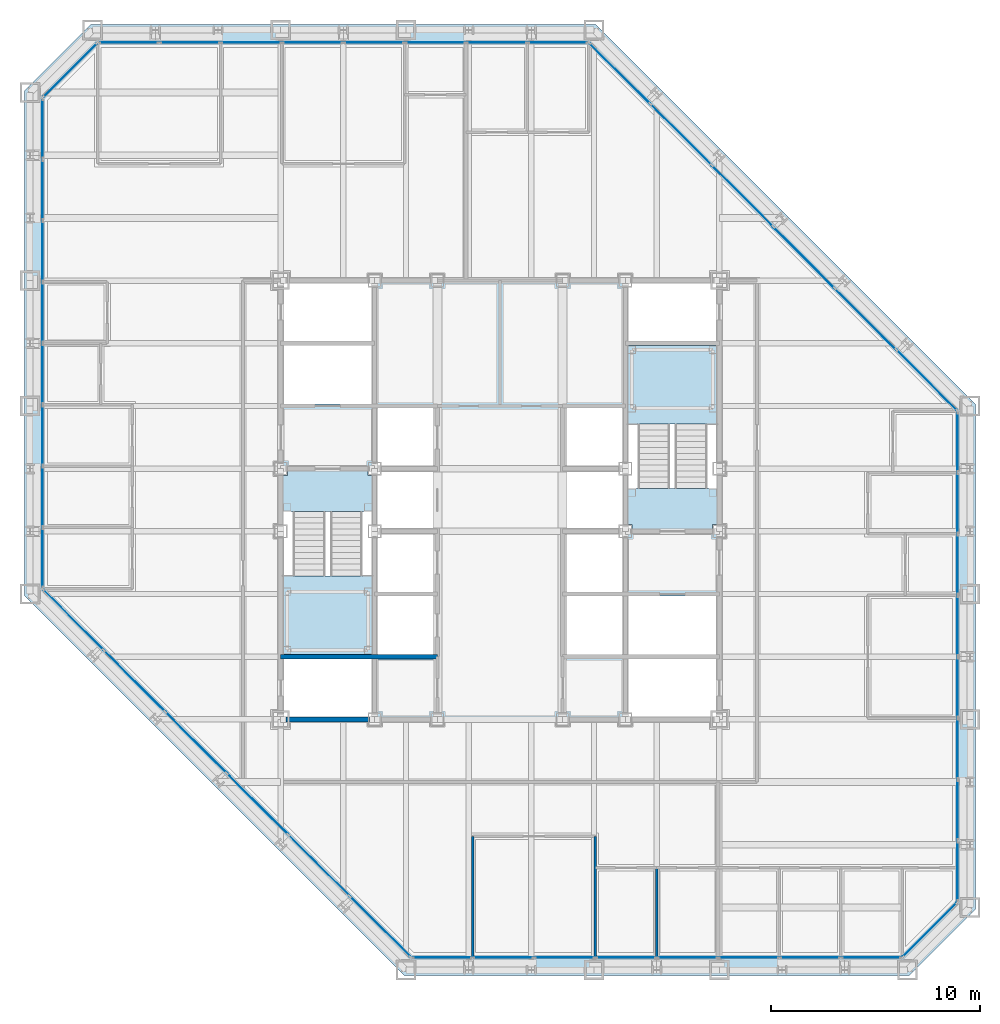
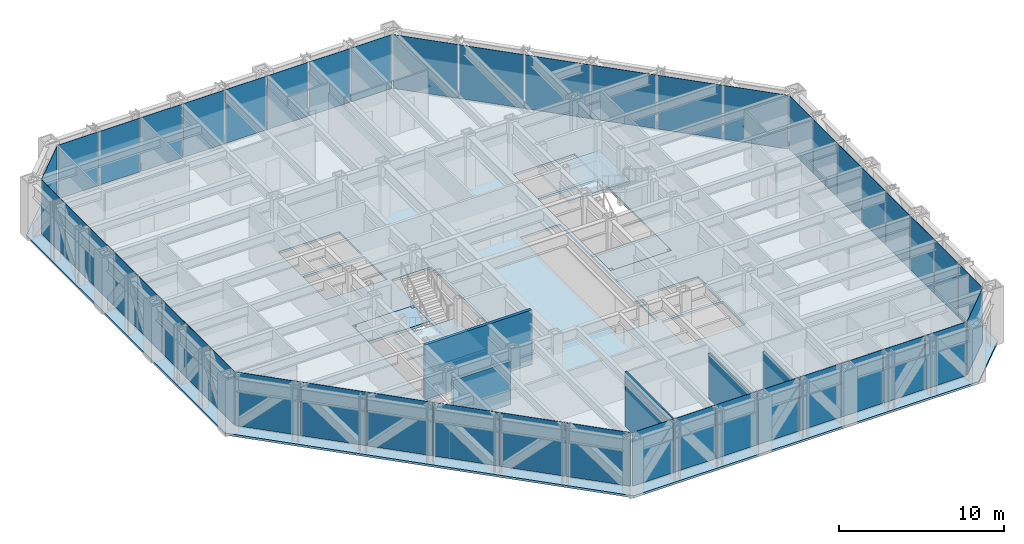
# One storey, part 9 of 16: 46 plates, 5 slabs, 5 walls, 10 elements without a shape of their own.
"""IFC4 building model written with IfcOpenShell, lengths in metres."""

from ifc_helpers import new_model, si_unit, direction, frame, frame_2d, origin, origin_2d, place, context, subcontext, project, spatial, polyline, rectangle, outline, extrude, material, layer, layer_set, type_object, element, aggregate, save


model = new_model("IFC4")

# Units and contexts
model_context = context("Model", 3, precision=1e-05, world=origin(), true_north=direction((0.0, 1.0)))
body_context = subcontext(model_context, "Body", "Model", "MODEL_VIEW")
ifc_project = project(units=[si_unit("LENGTHUNIT", "METRE"), si_unit("AREAUNIT", "SQUARE_METRE"), si_unit("VOLUMEUNIT", "CUBIC_METRE"), si_unit("PLANEANGLEUNIT", "RADIAN"), si_unit("MASSUNIT", "GRAM", prefix="KILO")], contexts=[model_context])

# Site, building, storey
site_placement = place(None, origin())
site = spatial("IfcSite", under=ifc_project, at=site_placement, CompositionType="ELEMENT")
building_placement = place(site_placement, origin())
building = spatial("IfcBuilding", under=site, at=building_placement, Name="Chuquiago Exchange Tower", CompositionType="ELEMENT")
storey_placement = place(building_placement, frame((0.0, 0.0, 153.0)))
storey = spatial("IfcBuildingStorey", under=building, at=storey_placement, Name="L33", CompositionType="ELEMENT", Elevation=153.0)

# Curtain wall, plates
ifc_material_1 = material(Name="Aluminium curtain wall system", Category="aluminium")
ifc_layer_1 = layer(ifc_material_1, 0.22509765625)
ifc_layer_set_1 = layer_set([ifc_layer_1], Name="CW2 office curtain wall")
curtain_wall_type_1 = type_object("IfcCurtainWallType", Name="CW2 office curtain wall", PredefinedType="NOTDEFINED", material=ifc_layer_set_1)
curtain_wall_1_placement = place(storey_placement, origin())
curtain_wall_1 = element("IfcCurtainWall", 1, at=curtain_wall_1_placement, inside=storey, type_object=curtain_wall_type_1, Name="CW2 curtain wall L33", PredefinedType="NOTDEFINED")
ifc_material_2 = material(Name="Glass, insulating unit", Category="glass")
ifc_layer_2 = layer(ifc_material_2, 0.030029296875)
ifc_layer_set_2 = layer_set([ifc_layer_2], Name="CW2-P panel 30")
plate_type_1 = type_object("IfcPlateType", Name="CW2-P panel 30", PredefinedType="CURTAIN_PANEL", material=ifc_layer_set_2)
plate_1_placement = place(storey_placement, frame((25.59326171875, 0.60009765625, 0.06494140625), z_axis=(0.0, 0.0, 1.0), x_axis=(1.0, 0.0, 0.0)))
plate_1 = element("IfcPlate", 2, at=plate_1_placement, type_object=plate_type_1, Name="CW2 panel 3.1", PredefinedType="CURTAIN_PANEL", context=body_context, shape_type="SweptSolid", body=[
    extrude(rectangle(XDim=2.872802734375, YDim=0.030029296875, at=origin_2d()), origin(), (0.0, 0.0, 1.0), 3.97509765625),
])
plate_2_placement = place(storey_placement, frame((34.40673828125, 0.60009765625, 0.06494140625), z_axis=(0.0, 0.0, 1.0), x_axis=(1.0, 0.0, 0.0)))
plate_2 = element("IfcPlate", 3, at=plate_2_placement, type_object=plate_type_1, Name="CW2 panel 6.1", PredefinedType="CURTAIN_PANEL", context=body_context, shape_type="SweptSolid", body=[
    extrude(rectangle(XDim=2.872802734375, YDim=0.030029296875, at=origin_2d()), origin(), (0.0, 0.0, 1.0), 3.97509765625),
])

curtain_wall_2_placement = place(storey_placement, origin())
curtain_wall_2 = element("IfcCurtainWall", 4, at=curtain_wall_2_placement, inside=storey, type_object=curtain_wall_type_1, Name="CW2 curtain wall L33", PredefinedType="NOTDEFINED")
plate_3_placement = place(storey_placement, frame((44.39990234375, 10.59326171875, 0.06494140625), z_axis=(0.0, 0.0, 1.0), x_axis=(0.0, 1.0, 0.0)))
plate_3 = element("IfcPlate", 5, at=plate_3_placement, type_object=plate_type_1, Name="CW2 panel 3.1", PredefinedType="CURTAIN_PANEL", context=body_context, shape_type="SweptSolid", body=[
    extrude(rectangle(XDim=2.872802734375, YDim=0.030029296875, at=origin_2d()), origin(), (0.0, 0.0, 1.0), 3.97509765625),
])
plate_4_placement = place(storey_placement, frame((44.39990234375, 19.40673828125, 0.06494140625), z_axis=(0.0, 0.0, 1.0), x_axis=(0.0, 1.0, 0.0)))
plate_4 = element("IfcPlate", 6, at=plate_4_placement, type_object=plate_type_1, Name="CW2 panel 6.1", PredefinedType="CURTAIN_PANEL", context=body_context, shape_type="SweptSolid", body=[
    extrude(rectangle(XDim=2.872802734375, YDim=0.030029296875, at=origin_2d()), origin(), (0.0, 0.0, 1.0), 3.97509765625),
])

curtain_wall_3_placement = place(storey_placement, origin())
curtain_wall_3 = element("IfcCurtainWall", 7, at=curtain_wall_3_placement, inside=storey, type_object=curtain_wall_type_1, Name="CW2 curtain wall L33", PredefinedType="NOTDEFINED")
plate_5_placement = place(storey_placement, frame((19.40673828125, 44.39990234375, 0.06494140625), z_axis=(0.0, 0.0, 1.0), x_axis=(-1.0, 0.0, 0.0)))
plate_5 = element("IfcPlate", 8, at=plate_5_placement, type_object=plate_type_1, Name="CW2 panel 3.1", PredefinedType="CURTAIN_PANEL", context=body_context, shape_type="SweptSolid", body=[
    extrude(rectangle(XDim=2.872802734375, YDim=0.030029296875, at=origin_2d()), origin(), (0.0, 0.0, 1.0), 3.97509765625),
])
plate_6_placement = place(storey_placement, frame((10.59326171875, 44.39990234375, 0.06494140625), z_axis=(0.0, 0.0, 1.0), x_axis=(-1.0, 0.0, 0.0)))
plate_6 = element("IfcPlate", 9, at=plate_6_placement, type_object=plate_type_1, Name="CW2 panel 6.1", PredefinedType="CURTAIN_PANEL", context=body_context, shape_type="SweptSolid", body=[
    extrude(rectangle(XDim=2.872802734375, YDim=0.030029296875, at=origin_2d()), origin(), (0.0, 0.0, 1.0), 3.97509765625),
])

curtain_wall_4_placement = place(storey_placement, origin())
curtain_wall_4 = element("IfcCurtainWall", 10, at=curtain_wall_4_placement, inside=storey, type_object=curtain_wall_type_1, Name="CW2 curtain wall L33", PredefinedType="NOTDEFINED")
plate_7_placement = place(storey_placement, frame((0.60009765625, 34.40673828125, 0.06494140625), z_axis=(0.0, 0.0, 1.0), x_axis=(0.0, -1.0, 0.0)))
plate_7 = element("IfcPlate", 11, at=plate_7_placement, type_object=plate_type_1, Name="CW2 panel 3.1", PredefinedType="CURTAIN_PANEL", context=body_context, shape_type="SweptSolid", body=[
    extrude(rectangle(XDim=2.872802734375, YDim=0.030029296875, at=origin_2d()), origin(), (0.0, 0.0, 1.0), 3.97509765625),
])
plate_8_placement = place(storey_placement, frame((0.60009765625, 25.59326171875, 0.06494140625), z_axis=(0.0, 0.0, 1.0), x_axis=(0.0, -1.0, 0.0)))
plate_8 = element("IfcPlate", 12, at=plate_8_placement, type_object=plate_type_1, Name="CW2 panel 6.1", PredefinedType="CURTAIN_PANEL", context=body_context, shape_type="SweptSolid", body=[
    extrude(rectangle(XDim=2.872802734375, YDim=0.030029296875, at=origin_2d()), origin(), (0.0, 0.0, 1.0), 3.97509765625),
])

# Plate
ifc_material_3 = material(Name="Insulated spandrel panel, pale anodised aluminium", Category="aluminium")
ifc_layer_3 = layer(ifc_material_3, 0.030029296875)
ifc_layer_set_3 = layer_set([ifc_layer_3], Name="CW2-P spandrel panel 30")
plate_type_2 = type_object("IfcPlateType", Name="CW2-P spandrel panel 30", PredefinedType="CURTAIN_PANEL", material=ifc_layer_set_3)
plate_9_placement = place(storey_placement, frame((19.733642578125, 0.60009765625, 0.06494140625), z_axis=(0.0, 0.0, 1.0), x_axis=(1.0, 0.0, 0.0)))
plate_9 = element("IfcPlate", 13, at=plate_9_placement, type_object=plate_type_2, Name="CW2 panel 1.1", PredefinedType="CURTAIN_PANEL", context=body_context, shape_type="SweptSolid", body=[
    extrude(rectangle(XDim=2.84033203125, YDim=0.030029296875, at=origin_2d()), origin(), (0.0, 0.0, 1.0), 3.97509765625),
])

plate_10_placement = place(storey_placement, frame((22.6552734375, 0.60009765625, 0.06494140625), z_axis=(0.0, 0.0, 1.0), x_axis=(1.0, 0.0, 0.0)))
plate_10 = element("IfcPlate", 14, at=plate_10_placement, type_object=plate_type_2, Name="CW2 panel 2.1", PredefinedType="CURTAIN_PANEL", context=body_context, shape_type="SweptSolid", body=[
    extrude(rectangle(XDim=2.872802734375, YDim=0.030029296875, at=origin_2d()), origin(), (0.0, 0.0, 1.0), 3.97509765625),
])

plate_11_placement = place(storey_placement, frame((28.531005859375, 0.60009765625, 0.06494140625), z_axis=(0.0, 0.0, 1.0), x_axis=(1.0, 0.0, 0.0)))
plate_11 = element("IfcPlate", 15, at=plate_11_placement, type_object=plate_type_2, Name="CW2 panel 4.1", PredefinedType="CURTAIN_PANEL", context=body_context, shape_type="SweptSolid", body=[
    extrude(rectangle(XDim=2.872802734375, YDim=0.030029296875, at=origin_2d()), origin(), (0.0, 0.0, 1.0), 3.97509765625),
])

plate_12_placement = place(storey_placement, frame((31.468994140625, 0.60009765625, 0.06494140625), z_axis=(0.0, 0.0, 1.0), x_axis=(1.0, 0.0, 0.0)))
plate_12 = element("IfcPlate", 16, at=plate_12_placement, type_object=plate_type_2, Name="CW2 panel 5.1", PredefinedType="CURTAIN_PANEL", context=body_context, shape_type="SweptSolid", body=[
    extrude(rectangle(XDim=2.872802734375, YDim=0.030029296875, at=origin_2d()), origin(), (0.0, 0.0, 1.0), 3.97509765625),
])

plate_13_placement = place(storey_placement, frame((37.3447265625, 0.60009765625, 0.06494140625), z_axis=(0.0, 0.0, 1.0), x_axis=(1.0, 0.0, 0.0)))
plate_13 = element("IfcPlate", 17, at=plate_13_placement, type_object=plate_type_2, Name="CW2 panel 7.1", PredefinedType="CURTAIN_PANEL", context=body_context, shape_type="SweptSolid", body=[
    extrude(rectangle(XDim=2.872802734375, YDim=0.030029296875, at=origin_2d()), origin(), (0.0, 0.0, 1.0), 3.97509765625),
])

plate_14_placement = place(storey_placement, frame((40.266357421875, 0.60009765625, 0.06494140625), z_axis=(0.0, 0.0, 1.0), x_axis=(1.0, 0.0, 0.0)))
plate_14 = element("IfcPlate", 18, at=plate_14_placement, type_object=plate_type_2, Name="CW2 panel 8.1", PredefinedType="CURTAIN_PANEL", context=body_context, shape_type="SweptSolid", body=[
    extrude(rectangle(XDim=2.84033203125, YDim=0.030029296875, at=origin_2d()), origin(), (0.0, 0.0, 1.0), 3.97509765625),
])

aggregate(curtain_wall_1, [plate_9, plate_10, plate_1, plate_11, plate_12, plate_2, plate_13, plate_14])

plate_15_placement = place(storey_placement, frame((44.39990234375, 4.733642578125, 0.06494140625), z_axis=(0.0, 0.0, 1.0), x_axis=(0.0, 1.0, 0.0)))
plate_15 = element("IfcPlate", 19, at=plate_15_placement, type_object=plate_type_2, Name="CW2 panel 1.1", PredefinedType="CURTAIN_PANEL", context=body_context, shape_type="SweptSolid", body=[
    extrude(rectangle(XDim=2.84033203125, YDim=0.030029296875, at=origin_2d()), origin(), (0.0, 0.0, 1.0), 3.97509765625),
])

plate_16_placement = place(storey_placement, frame((44.39990234375, 7.6552734375, 0.06494140625), z_axis=(0.0, 0.0, 1.0), x_axis=(0.0, 1.0, 0.0)))
plate_16 = element("IfcPlate", 20, at=plate_16_placement, type_object=plate_type_2, Name="CW2 panel 2.1", PredefinedType="CURTAIN_PANEL", context=body_context, shape_type="SweptSolid", body=[
    extrude(rectangle(XDim=2.872802734375, YDim=0.030029296875, at=origin_2d()), origin(), (0.0, 0.0, 1.0), 3.97509765625),
])

plate_17_placement = place(storey_placement, frame((44.39990234375, 13.531005859375, 0.06494140625), z_axis=(0.0, 0.0, 1.0), x_axis=(0.0, 1.0, 0.0)))
plate_17 = element("IfcPlate", 21, at=plate_17_placement, type_object=plate_type_2, Name="CW2 panel 4.1", PredefinedType="CURTAIN_PANEL", context=body_context, shape_type="SweptSolid", body=[
    extrude(rectangle(XDim=2.872802734375, YDim=0.030029296875, at=origin_2d()), origin(), (0.0, 0.0, 1.0), 3.97509765625),
])

plate_18_placement = place(storey_placement, frame((44.39990234375, 16.468994140625, 0.06494140625), z_axis=(0.0, 0.0, 1.0), x_axis=(0.0, 1.0, 0.0)))
plate_18 = element("IfcPlate", 22, at=plate_18_placement, type_object=plate_type_2, Name="CW2 panel 5.1", PredefinedType="CURTAIN_PANEL", context=body_context, shape_type="SweptSolid", body=[
    extrude(rectangle(XDim=2.872802734375, YDim=0.030029296875, at=origin_2d()), origin(), (0.0, 0.0, 1.0), 3.97509765625),
])

plate_19_placement = place(storey_placement, frame((44.39990234375, 22.3447265625, 0.06494140625), z_axis=(0.0, 0.0, 1.0), x_axis=(0.0, 1.0, 0.0)))
plate_19 = element("IfcPlate", 23, at=plate_19_placement, type_object=plate_type_2, Name="CW2 panel 7.1", PredefinedType="CURTAIN_PANEL", context=body_context, shape_type="SweptSolid", body=[
    extrude(rectangle(XDim=2.872802734375, YDim=0.030029296875, at=origin_2d()), origin(), (0.0, 0.0, 1.0), 3.97509765625),
])

plate_20_placement = place(storey_placement, frame((44.39990234375, 25.266357421875, 0.06494140625), z_axis=(0.0, 0.0, 1.0), x_axis=(0.0, 1.0, 0.0)))
plate_20 = element("IfcPlate", 24, at=plate_20_placement, type_object=plate_type_2, Name="CW2 panel 8.1", PredefinedType="CURTAIN_PANEL", context=body_context, shape_type="SweptSolid", body=[
    extrude(rectangle(XDim=2.84033203125, YDim=0.030029296875, at=origin_2d()), origin(), (0.0, 0.0, 1.0), 3.97509765625),
])

aggregate(curtain_wall_2, [plate_15, plate_16, plate_3, plate_17, plate_18, plate_4, plate_19, plate_20])

plate_21_placement = place(storey_placement, frame((25.266357421875, 44.39990234375, 0.06494140625), z_axis=(0.0, 0.0, 1.0), x_axis=(-1.0, 0.0, 0.0)))
plate_21 = element("IfcPlate", 25, at=plate_21_placement, type_object=plate_type_2, Name="CW2 panel 1.1", PredefinedType="CURTAIN_PANEL", context=body_context, shape_type="SweptSolid", body=[
    extrude(rectangle(XDim=2.84033203125, YDim=0.030029296875, at=origin_2d()), origin(), (0.0, 0.0, 1.0), 3.97509765625),
])

plate_22_placement = place(storey_placement, frame((22.3447265625, 44.39990234375, 0.06494140625), z_axis=(0.0, 0.0, 1.0), x_axis=(-1.0, 0.0, 0.0)))
plate_22 = element("IfcPlate", 26, at=plate_22_placement, type_object=plate_type_2, Name="CW2 panel 2.1", PredefinedType="CURTAIN_PANEL", context=body_context, shape_type="SweptSolid", body=[
    extrude(rectangle(XDim=2.872802734375, YDim=0.030029296875, at=origin_2d()), origin(), (0.0, 0.0, 1.0), 3.97509765625),
])

plate_23_placement = place(storey_placement, frame((16.468994140625, 44.39990234375, 0.06494140625), z_axis=(0.0, 0.0, 1.0), x_axis=(-1.0, 0.0, 0.0)))
plate_23 = element("IfcPlate", 27, at=plate_23_placement, type_object=plate_type_2, Name="CW2 panel 4.1", PredefinedType="CURTAIN_PANEL", context=body_context, shape_type="SweptSolid", body=[
    extrude(rectangle(XDim=2.872802734375, YDim=0.030029296875, at=origin_2d()), origin(), (0.0, 0.0, 1.0), 3.97509765625),
])

plate_24_placement = place(storey_placement, frame((13.531005859375, 44.39990234375, 0.06494140625), z_axis=(0.0, 0.0, 1.0), x_axis=(-1.0, 0.0, 0.0)))
plate_24 = element("IfcPlate", 28, at=plate_24_placement, type_object=plate_type_2, Name="CW2 panel 5.1", PredefinedType="CURTAIN_PANEL", context=body_context, shape_type="SweptSolid", body=[
    extrude(rectangle(XDim=2.872802734375, YDim=0.030029296875, at=origin_2d()), origin(), (0.0, 0.0, 1.0), 3.97509765625),
])

plate_25_placement = place(storey_placement, frame((7.6552734375, 44.39990234375, 0.06494140625), z_axis=(0.0, 0.0, 1.0), x_axis=(-1.0, 0.0, 0.0)))
plate_25 = element("IfcPlate", 29, at=plate_25_placement, type_object=plate_type_2, Name="CW2 panel 7.1", PredefinedType="CURTAIN_PANEL", context=body_context, shape_type="SweptSolid", body=[
    extrude(rectangle(XDim=2.872802734375, YDim=0.030029296875, at=origin_2d()), origin(), (0.0, 0.0, 1.0), 3.97509765625),
])

plate_26_placement = place(storey_placement, frame((4.733642578125, 44.39990234375, 0.06494140625), z_axis=(0.0, 0.0, 1.0), x_axis=(-1.0, 0.0, 0.0)))
plate_26 = element("IfcPlate", 30, at=plate_26_placement, type_object=plate_type_2, Name="CW2 panel 8.1", PredefinedType="CURTAIN_PANEL", context=body_context, shape_type="SweptSolid", body=[
    extrude(rectangle(XDim=2.84033203125, YDim=0.030029296875, at=origin_2d()), origin(), (0.0, 0.0, 1.0), 3.97509765625),
])

aggregate(curtain_wall_3, [plate_21, plate_22, plate_5, plate_23, plate_24, plate_6, plate_25, plate_26])

plate_27_placement = place(storey_placement, frame((0.60009765625, 40.266357421875, 0.06494140625), z_axis=(0.0, 0.0, 1.0), x_axis=(0.0, -1.0, 0.0)))
plate_27 = element("IfcPlate", 31, at=plate_27_placement, type_object=plate_type_2, Name="CW2 panel 1.1", PredefinedType="CURTAIN_PANEL", context=body_context, shape_type="SweptSolid", body=[
    extrude(rectangle(XDim=2.84033203125, YDim=0.030029296875, at=origin_2d()), origin(), (0.0, 0.0, 1.0), 3.97509765625),
])

plate_28_placement = place(storey_placement, frame((0.60009765625, 37.3447265625, 0.06494140625), z_axis=(0.0, 0.0, 1.0), x_axis=(0.0, -1.0, 0.0)))
plate_28 = element("IfcPlate", 32, at=plate_28_placement, type_object=plate_type_2, Name="CW2 panel 2.1", PredefinedType="CURTAIN_PANEL", context=body_context, shape_type="SweptSolid", body=[
    extrude(rectangle(XDim=2.872802734375, YDim=0.030029296875, at=origin_2d()), origin(), (0.0, 0.0, 1.0), 3.97509765625),
])

plate_29_placement = place(storey_placement, frame((0.60009765625, 31.468994140625, 0.06494140625), z_axis=(0.0, 0.0, 1.0), x_axis=(0.0, -1.0, 0.0)))
plate_29 = element("IfcPlate", 33, at=plate_29_placement, type_object=plate_type_2, Name="CW2 panel 4.1", PredefinedType="CURTAIN_PANEL", context=body_context, shape_type="SweptSolid", body=[
    extrude(rectangle(XDim=2.872802734375, YDim=0.030029296875, at=origin_2d()), origin(), (0.0, 0.0, 1.0), 3.97509765625),
])

plate_30_placement = place(storey_placement, frame((0.60009765625, 28.531005859375, 0.06494140625), z_axis=(0.0, 0.0, 1.0), x_axis=(0.0, -1.0, 0.0)))
plate_30 = element("IfcPlate", 34, at=plate_30_placement, type_object=plate_type_2, Name="CW2 panel 5.1", PredefinedType="CURTAIN_PANEL", context=body_context, shape_type="SweptSolid", body=[
    extrude(rectangle(XDim=2.872802734375, YDim=0.030029296875, at=origin_2d()), origin(), (0.0, 0.0, 1.0), 3.97509765625),
])

plate_31_placement = place(storey_placement, frame((0.60009765625, 22.6552734375, 0.06494140625), z_axis=(0.0, 0.0, 1.0), x_axis=(0.0, -1.0, 0.0)))
plate_31 = element("IfcPlate", 35, at=plate_31_placement, type_object=plate_type_2, Name="CW2 panel 7.1", PredefinedType="CURTAIN_PANEL", context=body_context, shape_type="SweptSolid", body=[
    extrude(rectangle(XDim=2.872802734375, YDim=0.030029296875, at=origin_2d()), origin(), (0.0, 0.0, 1.0), 3.97509765625),
])

plate_32_placement = place(storey_placement, frame((0.60009765625, 19.733642578125, 0.06494140625), z_axis=(0.0, 0.0, 1.0), x_axis=(0.0, -1.0, 0.0)))
plate_32 = element("IfcPlate", 36, at=plate_32_placement, type_object=plate_type_2, Name="CW2 panel 8.1", PredefinedType="CURTAIN_PANEL", context=body_context, shape_type="SweptSolid", body=[
    extrude(rectangle(XDim=2.84033203125, YDim=0.030029296875, at=origin_2d()), origin(), (0.0, 0.0, 1.0), 3.97509765625),
])

aggregate(curtain_wall_4, [plate_27, plate_28, plate_7, plate_29, plate_30, plate_8, plate_31, plate_32])

# Curtain wall, plate
ifc_material_4 = material(Name="Aluminium curtain wall system", Category="aluminium")
ifc_layer_4 = layer(ifc_material_4, 0.199951171875)
ifc_layer_set_4 = layer_set([ifc_layer_4], Name="CW3 facet curtain wall")
curtain_wall_type_2 = type_object("IfcCurtainWallType", Name="CW3 facet curtain wall", PredefinedType="NOTDEFINED", material=ifc_layer_set_4)
curtain_wall_5_placement = place(storey_placement, origin())
curtain_wall_5 = element("IfcCurtainWall", 37, at=curtain_wall_5_placement, inside=storey, type_object=curtain_wall_type_2, Name="CW3 curtain wall L33", PredefinedType="NOTDEFINED")
ifc_material_5 = material(Name="Insulated spandrel panel, pale anodised aluminium", Category="aluminium")
ifc_layer_5 = layer(ifc_material_5, 0.030029296875)
ifc_layer_set_5 = layer_set([ifc_layer_5], Name="CW3-P spandrel panel 30")
plate_type_3 = type_object("IfcPlateType", Name="CW3-P spandrel panel 30", PredefinedType="CURTAIN_PANEL", material=ifc_layer_set_5)
plate_33_placement = place(storey_placement, frame((43.07568359375, 1.92431640625, 0.06494140625), z_axis=(0.0, 0.0, 1.0), x_axis=(0.707106781187, 0.707106781187, 0.0)))
plate_33 = element("IfcPlate", 38, at=plate_33_placement, type_object=plate_type_3, Name="CW3 panel 1.1", PredefinedType="CURTAIN_PANEL", context=body_context, shape_type="SweptSolid", body=[
    extrude(rectangle(XDim=3.615478515625, YDim=0.030029296875, at=origin_2d()), origin(), (0.0, 0.0, 1.0), 3.97509765625),
])
aggregate(curtain_wall_5, [plate_33])

# Curtain wall, plates
curtain_wall_6_placement = place(storey_placement, origin())
curtain_wall_6 = element("IfcCurtainWall", 39, at=curtain_wall_6_placement, inside=storey, type_object=curtain_wall_type_2, Name="CW3 curtain wall L33", PredefinedType="NOTDEFINED")
plate_34_placement = place(storey_placement, frame((42.917724609375, 28.233642578125, 0.06494140625), z_axis=(0.0, 0.0, 1.0), x_axis=(-0.707106781187, 0.707106781187, 0.0)))
plate_34 = element("IfcPlate", 40, at=plate_34_placement, type_object=plate_type_3, Name="CW3 panel 1.1", PredefinedType="CURTAIN_PANEL", context=body_context, shape_type="SweptSolid", body=[
    extrude(rectangle(XDim=4.062255859375, YDim=0.030029296875, at=origin_2d()), origin(), (0.0, 0.0, 1.0), 3.97509765625),
])
plate_35_placement = place(storey_placement, frame((39.98779296875, 31.16357421875, 0.06494140625), z_axis=(0.0, 0.0, 1.0), x_axis=(-0.707106781187, 0.707106781187, 0.0)))
plate_35 = element("IfcPlate", 41, at=plate_35_placement, type_object=plate_type_3, Name="CW3 panel 2.1", PredefinedType="CURTAIN_PANEL", context=body_context, shape_type="SweptSolid", body=[
    extrude(rectangle(XDim=4.0947265625, YDim=0.030029296875, at=origin_2d()), origin(), (0.0, 0.0, 1.0), 3.97509765625),
])
plate_36_placement = place(storey_placement, frame((37.04638671875, 34.10498046875, 0.06494140625), z_axis=(0.0, 0.0, 1.0), x_axis=(-0.707106781187, 0.707106781187, 0.0)))
plate_36 = element("IfcPlate", 42, at=plate_36_placement, type_object=plate_type_3, Name="CW3 panel 3.1", PredefinedType="CURTAIN_PANEL", context=body_context, shape_type="SweptSolid", body=[
    extrude(rectangle(XDim=4.0947265625, YDim=0.030029296875, at=origin_2d()), origin(), (0.0, 0.0, 1.0), 3.97509765625),
])
plate_37_placement = place(storey_placement, frame((34.10498046875, 37.04638671875, 0.06494140625), z_axis=(0.0, 0.0, 1.0), x_axis=(-0.707106781187, 0.707106781187, 0.0)))
plate_37 = element("IfcPlate", 43, at=plate_37_placement, type_object=plate_type_3, Name="CW3 panel 4.1", PredefinedType="CURTAIN_PANEL", context=body_context, shape_type="SweptSolid", body=[
    extrude(rectangle(XDim=4.0947265625, YDim=0.030029296875, at=origin_2d()), origin(), (0.0, 0.0, 1.0), 3.97509765625),
])
plate_38_placement = place(storey_placement, frame((31.16357421875, 39.98779296875, 0.06494140625), z_axis=(0.0, 0.0, 1.0), x_axis=(-0.707106781187, 0.707106781187, 0.0)))
plate_38 = element("IfcPlate", 44, at=plate_38_placement, type_object=plate_type_3, Name="CW3 panel 5.1", PredefinedType="CURTAIN_PANEL", context=body_context, shape_type="SweptSolid", body=[
    extrude(rectangle(XDim=4.0947265625, YDim=0.030029296875, at=origin_2d()), origin(), (0.0, 0.0, 1.0), 3.97509765625),
])
plate_39_placement = place(storey_placement, frame((28.233642578125, 42.917724609375, 0.06494140625), z_axis=(0.0, 0.0, 1.0), x_axis=(-0.707106781187, 0.707106781187, 0.0)))
plate_39 = element("IfcPlate", 45, at=plate_39_placement, type_object=plate_type_3, Name="CW3 panel 6.1", PredefinedType="CURTAIN_PANEL", context=body_context, shape_type="SweptSolid", body=[
    extrude(rectangle(XDim=4.062255859375, YDim=0.030029296875, at=origin_2d()), origin(), (0.0, 0.0, 1.0), 3.97509765625),
])
aggregate(curtain_wall_6, [plate_34, plate_35, plate_36, plate_37, plate_38, plate_39])

# Curtain wall, plate
curtain_wall_7_placement = place(storey_placement, origin())
curtain_wall_7 = element("IfcCurtainWall", 46, at=curtain_wall_7_placement, inside=storey, type_object=curtain_wall_type_2, Name="CW3 curtain wall L33", PredefinedType="NOTDEFINED")
plate_40_placement = place(storey_placement, frame((1.92431640625, 43.07568359375, 0.06494140625), z_axis=(0.0, 0.0, 1.0), x_axis=(-0.707106781187, -0.707106781187, 0.0)))
plate_40 = element("IfcPlate", 47, at=plate_40_placement, type_object=plate_type_3, Name="CW3 panel 1.1", PredefinedType="CURTAIN_PANEL", context=body_context, shape_type="SweptSolid", body=[
    extrude(rectangle(XDim=3.615478515625, YDim=0.030029296875, at=origin_2d()), origin(), (0.0, 0.0, 1.0), 3.97509765625),
])
aggregate(curtain_wall_7, [plate_40])

# Curtain wall, plates
curtain_wall_8_placement = place(storey_placement, origin())
curtain_wall_8 = element("IfcCurtainWall", 48, at=curtain_wall_8_placement, inside=storey, type_object=curtain_wall_type_2, Name="CW3 curtain wall L33", PredefinedType="NOTDEFINED")
plate_41_placement = place(storey_placement, frame((2.082275390625, 16.766357421875, 0.06494140625), z_axis=(0.0, 0.0, 1.0), x_axis=(0.707106781187, -0.707106781187, 0.0)))
plate_41 = element("IfcPlate", 49, at=plate_41_placement, type_object=plate_type_3, Name="CW3 panel 1.1", PredefinedType="CURTAIN_PANEL", context=body_context, shape_type="SweptSolid", body=[
    extrude(rectangle(XDim=4.062255859375, YDim=0.030029296875, at=origin_2d()), origin(), (0.0, 0.0, 1.0), 3.97509765625),
])
plate_42_placement = place(storey_placement, frame((5.01220703125, 13.83642578125, 0.06494140625), z_axis=(0.0, 0.0, 1.0), x_axis=(0.707106781187, -0.707106781187, 0.0)))
plate_42 = element("IfcPlate", 50, at=plate_42_placement, type_object=plate_type_3, Name="CW3 panel 2.1", PredefinedType="CURTAIN_PANEL", context=body_context, shape_type="SweptSolid", body=[
    extrude(rectangle(XDim=4.0947265625, YDim=0.030029296875, at=origin_2d()), origin(), (0.0, 0.0, 1.0), 3.97509765625),
])
plate_43_placement = place(storey_placement, frame((7.95361328125, 10.89501953125, 0.06494140625), z_axis=(0.0, 0.0, 1.0), x_axis=(0.707106781187, -0.707106781187, 0.0)))
plate_43 = element("IfcPlate", 51, at=plate_43_placement, type_object=plate_type_3, Name="CW3 panel 3.1", PredefinedType="CURTAIN_PANEL", context=body_context, shape_type="SweptSolid", body=[
    extrude(rectangle(XDim=4.0947265625, YDim=0.030029296875, at=origin_2d()), origin(), (0.0, 0.0, 1.0), 3.97509765625),
])
plate_44_placement = place(storey_placement, frame((10.89501953125, 7.95361328125, 0.06494140625), z_axis=(0.0, 0.0, 1.0), x_axis=(0.707106781187, -0.707106781187, 0.0)))
plate_44 = element("IfcPlate", 52, at=plate_44_placement, type_object=plate_type_3, Name="CW3 panel 4.1", PredefinedType="CURTAIN_PANEL", context=body_context, shape_type="SweptSolid", body=[
    extrude(rectangle(XDim=4.0947265625, YDim=0.030029296875, at=origin_2d()), origin(), (0.0, 0.0, 1.0), 3.97509765625),
])
plate_45_placement = place(storey_placement, frame((13.83642578125, 5.01220703125, 0.06494140625), z_axis=(0.0, 0.0, 1.0), x_axis=(0.707106781187, -0.707106781187, 0.0)))
plate_45 = element("IfcPlate", 53, at=plate_45_placement, type_object=plate_type_3, Name="CW3 panel 5.1", PredefinedType="CURTAIN_PANEL", context=body_context, shape_type="SweptSolid", body=[
    extrude(rectangle(XDim=4.0947265625, YDim=0.030029296875, at=origin_2d()), origin(), (0.0, 0.0, 1.0), 3.97509765625),
])
plate_46_placement = place(storey_placement, frame((16.766357421875, 2.082275390625, 0.06494140625), z_axis=(0.0, 0.0, 1.0), x_axis=(0.707106781187, -0.707106781187, 0.0)))
plate_46 = element("IfcPlate", 54, at=plate_46_placement, type_object=plate_type_3, Name="CW3 panel 6.1", PredefinedType="CURTAIN_PANEL", context=body_context, shape_type="SweptSolid", body=[
    extrude(rectangle(XDim=4.062255859375, YDim=0.030029296875, at=origin_2d()), origin(), (0.0, 0.0, 1.0), 3.97509765625),
])
aggregate(curtain_wall_8, [plate_41, plate_42, plate_43, plate_44, plate_45, plate_46])

# Slab
ifc_material_6 = material(Name="Concrete C30/37", Category="concrete")
ifc_layer_6 = layer(ifc_material_6, 0.159912109375)
ifc_layer_set_6 = layer_set([ifc_layer_6], Name="FS1 composite floor 160")
slab_type_1 = type_object("IfcSlabType", Name="FS1 composite floor 160", PredefinedType="FLOOR", material=ifc_layer_set_6)
slab_1_placement = place(storey_placement, frame((0.0, 0.0, -0.159912109375)))
element("IfcSlab", 55, at=slab_1_placement, inside=storey, type_object=slab_type_1, Name="L33 floor slab", PredefinedType="FLOOR", context=body_context, shape_type="SweptSolid", body=[
    extrude(outline(polyline([(17.896484375, -0.25), (-0.25, 17.896484375), (-0.25, 42.103515625), (2.896484375, 45.25), (27.103515625, 45.25), (45.25, 27.103515625), (45.25, 2.896484375), (42.103515625, -0.25), (17.896484375, -0.25)]), holes=[polyline([(16.39990234375, 15.10009765625), (12.10009765625, 15.10009765625), (12.10009765625, 23.89990234375), (16.39990234375, 23.89990234375), (16.39990234375, 15.10009765625)]), polyline([(32.89990234375, 21.10009765625), (28.60009765625, 21.10009765625), (28.60009765625, 29.89990234375), (32.89990234375, 29.89990234375), (32.89990234375, 21.10009765625)]), polyline([(16.39990234375, 12.10009765625), (12.10009765625, 12.10009765625), (12.10009765625, 14.89990234375), (16.39990234375, 14.89990234375), (16.39990234375, 12.10009765625)]), polyline([(16.39990234375, 30.10009765625), (12.10009765625, 30.10009765625), (12.10009765625, 32.89990234375), (16.39990234375, 32.89990234375), (16.39990234375, 30.10009765625)]), polyline([(32.89990234375, 12.10009765625), (28.60009765625, 12.10009765625), (28.60009765625, 14.89990234375), (32.89990234375, 14.89990234375), (32.89990234375, 12.10009765625)]), polyline([(32.89990234375, 30.10009765625), (28.60009765625, 30.10009765625), (28.60009765625, 32.89990234375), (32.89990234375, 32.89990234375), (32.89990234375, 30.10009765625)]), polyline([(16.39990234375, 27.10009765625), (12.10009765625, 27.10009765625), (12.10009765625, 29.89990234375), (16.39990234375, 29.89990234375), (16.39990234375, 27.10009765625)]), polyline([(32.89990234375, 15.10009765625), (28.60009765625, 15.10009765625), (28.60009765625, 17.89990234375), (32.89990234375, 17.89990234375), (32.89990234375, 15.10009765625)]), polyline([(19.39990234375, 15.10009765625), (16.60009765625, 15.10009765625), (16.60009765625, 26.89990234375), (19.39990234375, 26.89990234375), (19.39990234375, 15.10009765625)]), polyline([(28.39990234375, 15.10009765625), (25.60009765625, 15.10009765625), (25.60009765625, 26.89990234375), (28.39990234375, 26.89990234375), (28.39990234375, 15.10009765625)])]), origin(), (0.0, 0.0, 1.0), 0.159912109375),
])

# Stair, slabs
ifc_material_7 = material(Name="Concrete C30/37, precast", Category="concrete")
stair_type_1 = type_object("IfcStairType", Name="ST1 half-turn stair 4200", PredefinedType="HALF_TURN_STAIR", material=ifc_material_7)
stair_1_placement = place(storey_placement, origin())
stair_1 = element("IfcStair", 56, at=stair_1_placement, inside=storey, type_object=stair_type_1, Name="Stair ST1 L33", PredefinedType="HALF_TURN_STAIR")
ifc_material_8 = material(Name="Concrete C30/37, precast", Category="concrete")
ifc_layer_7 = layer(ifc_material_8, 0.199951171875)
ifc_layer_set_7 = layer_set([ifc_layer_7], Name="ST-L landing 200")
slab_type_2 = type_object("IfcSlabType", Name="ST-L landing 200", PredefinedType="LANDING", material=ifc_layer_set_7)
slab_2_placement = place(storey_placement, frame((0.0, 0.0, -0.199951171875)))
slab_2 = element("IfcSlab", 57, at=slab_2_placement, type_object=slab_type_2, Name="ST1 landing 1", PredefinedType="LANDING", context=body_context, shape_type="SweptSolid", body=[
    extrude(outline(polyline([(12.324951171875, 23.89990234375), (16.175048828125, 23.89990234375), (16.175048828125, 23.675048828125), (16.39990234375, 23.675048828125), (16.39990234375, 21.949951171875), (12.10009765625, 21.949951171875), (12.10009765625, 23.675048828125), (12.324951171875, 23.675048828125), (12.324951171875, 23.89990234375)])), origin(), (0.0, 0.0, 1.0), 0.199951171875),
])
slab_3_placement = place(storey_placement, frame((0.0, 0.0, 1.89990234375)))
slab_3 = element("IfcSlab", 58, at=slab_3_placement, type_object=slab_type_2, Name="ST1 landing 2", PredefinedType="LANDING", context=body_context, shape_type="SweptSolid", body=[
    extrude(outline(polyline([(12.10009765625, 18.8701171875), (16.39990234375, 18.8701171875), (16.39990234375, 15.10009765625), (12.10009765625, 15.10009765625), (12.10009765625, 18.8701171875)])), origin(), (0.0, 0.0, 1.0), 0.2001953125),
])
aggregate(stair_1, [slab_2, slab_3])

ifc_material_9 = material(Name="Concrete C30/37, precast", Category="concrete")
stair_type_2 = type_object("IfcStairType", Name="ST2 half-turn stair 4200", PredefinedType="HALF_TURN_STAIR", material=ifc_material_9)
stair_2_placement = place(storey_placement, origin())
stair_2 = element("IfcStair", 59, at=stair_2_placement, inside=storey, type_object=stair_type_2, Name="Stair ST2 L33", PredefinedType="HALF_TURN_STAIR")
slab_4_placement = place(storey_placement, frame((0.0, 0.0, -0.199951171875)))
slab_4 = element("IfcSlab", 60, at=slab_4_placement, type_object=slab_type_2, Name="ST2 landing 1", PredefinedType="LANDING", context=body_context, shape_type="SweptSolid", body=[
    extrude(outline(polyline([(32.675048828125, 21.324951171875), (32.675048828125, 21.10009765625), (28.824951171875, 21.10009765625), (28.824951171875, 21.324951171875), (28.60009765625, 21.324951171875), (28.60009765625, 23.050048828125), (32.89990234375, 23.050048828125), (32.89990234375, 21.324951171875), (32.675048828125, 21.324951171875)])), origin(), (0.0, 0.0, 1.0), 0.199951171875),
])
slab_5_placement = place(storey_placement, frame((0.0, 0.0, 1.89990234375)))
slab_5 = element("IfcSlab", 61, at=slab_5_placement, type_object=slab_type_2, Name="ST2 landing 2", PredefinedType="LANDING", context=body_context, shape_type="SweptSolid", body=[
    extrude(outline(polyline([(28.60009765625, 29.89990234375), (32.89990234375, 29.89990234375), (32.89990234375, 26.1298828125), (28.60009765625, 26.1298828125), (28.60009765625, 29.89990234375)])), origin(), (0.0, 0.0, 1.0), 0.2001953125),
])
aggregate(stair_2, [slab_4, slab_5])

# Walls
ifc_material_10 = material(Name="Concrete masonry, fully grouted", Category="masonry")
ifc_layer_8 = layer(ifc_material_10, 0.25)
ifc_layer_set_8 = layer_set([ifc_layer_8], Name="W1 core wall 250")
wall_type_1 = type_object("IfcWallType", Name="W1 core wall 250", PredefinedType="SOLIDWALL", material=ifc_layer_set_8)
wall_1_placement = place(storey_placement, frame((12.25, 12.0, 0.0), z_axis=(0.0, 0.0, 1.0), x_axis=(1.0, 0.0, 0.0)))
element("IfcWall", 62, at=wall_1_placement, inside=storey, type_object=wall_type_1, Name="CW-L33-01-0", PredefinedType="SOLIDWALL", context=body_context, shape_type="SweptSolid", body=[
    extrude(rectangle(XDim=4.0, YDim=0.25, at=frame_2d((2.0, 0.0))), origin(), (0.0, 0.0, 1.0), 3.181396484375),
])
ifc_material_11 = material(Name="Concrete masonry, fully grouted", Category="masonry")
ifc_layer_9 = layer(ifc_material_11, 0.199951171875)
ifc_layer_set_9 = layer_set([ifc_layer_9], Name="W2 shaft wall 200")
wall_type_2 = type_object("IfcWallType", Name="W2 shaft wall 200", PredefinedType="SOLIDWALL", material=ifc_layer_set_9)
wall_2_placement = place(storey_placement, frame((12.0, 15.0, 0.0), z_axis=(0.0, 0.0, 1.0), x_axis=(1.0, 0.0, 0.0)))
element("IfcWall", 63, at=wall_2_placement, inside=storey, type_object=wall_type_2, Name="CW-L33-03-0", PredefinedType="SOLIDWALL", context=body_context, shape_type="SweptSolid", body=[
    extrude(rectangle(XDim=7.5, YDim=0.199951171875, at=frame_2d((3.75, 0.0))), origin(), (0.0, 0.0, 1.0), 4.0400390625),
])
ifc_material_12 = material(Name="Gypsum board on steel studs", Category="steel")
ifc_layer_10 = layer(ifc_material_12, 0.1201171875)
ifc_layer_set_10 = layer_set([ifc_layer_10], Name="W4 partition 120")
wall_type_3 = type_object("IfcWallType", Name="W4 partition 120", PredefinedType="PARTITIONING", material=ifc_layer_set_10)
wall_3_placement = place(storey_placement, frame((21.186279296875, 0.652587890625, 0.0), z_axis=(0.0, 0.0, 1.0), x_axis=(0.0, 1.0, 0.0)))
element("IfcWall", 64, at=wall_3_placement, inside=storey, type_object=wall_type_3, Name="PW-L33-S02119", PredefinedType="PARTITIONING", context=body_context, shape_type="SweptSolid", body=[
    extrude(rectangle(XDim=5.747314453125, YDim=0.1201171875, at=frame_2d((2.87353515625, 0.0))), origin(), (0.0, 0.0, 1.0), 4.0400390625),
])
wall_4_placement = place(storey_placement, frame((27.06201171875, 0.652587890625, 0.0), z_axis=(0.0, 0.0, 1.0), x_axis=(0.0, 1.0, 0.0)))
element("IfcWall", 65, at=wall_4_placement, inside=storey, type_object=wall_type_3, Name="PW-L33-S02706", PredefinedType="PARTITIONING", context=body_context, shape_type="SweptSolid", body=[
    extrude(rectangle(XDim=5.747314453125, YDim=0.1201171875, at=frame_2d((2.87353515625, 0.0))), origin(), (0.0, 0.0, 1.0), 3.356689453125),
])
wall_5_placement = place(storey_placement, frame((30.0, 0.652587890625, 0.0), z_axis=(0.0, 0.0, 1.0), x_axis=(0.0, 1.0, 0.0)))
element("IfcWall", 66, at=wall_5_placement, inside=storey, type_object=wall_type_3, Name="PW-L33-S03000", PredefinedType="PARTITIONING", context=body_context, shape_type="SweptSolid", body=[
    extrude(rectangle(XDim=4.247314453125, YDim=0.1201171875, at=frame_2d((2.12353515625, 0.0))), origin(), (0.0, 0.0, 1.0), 3.356689453125),
])

save(model, "model.ifc")
